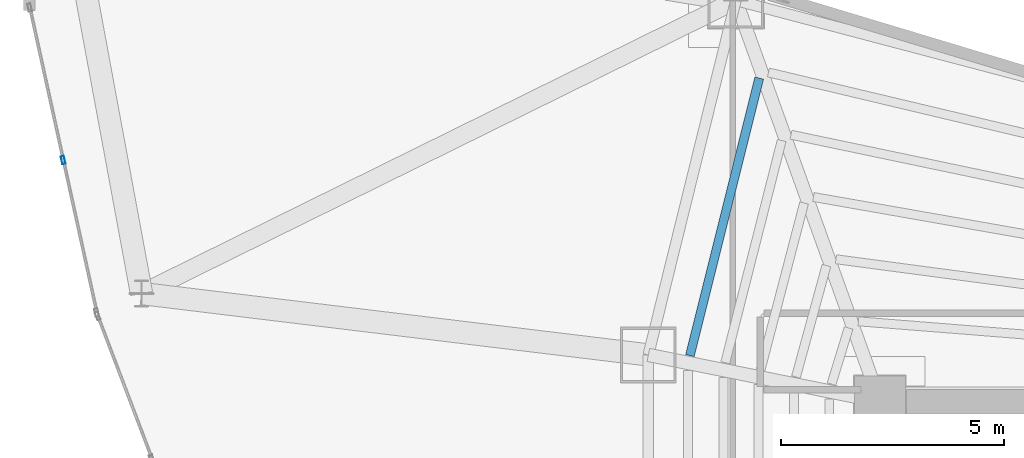
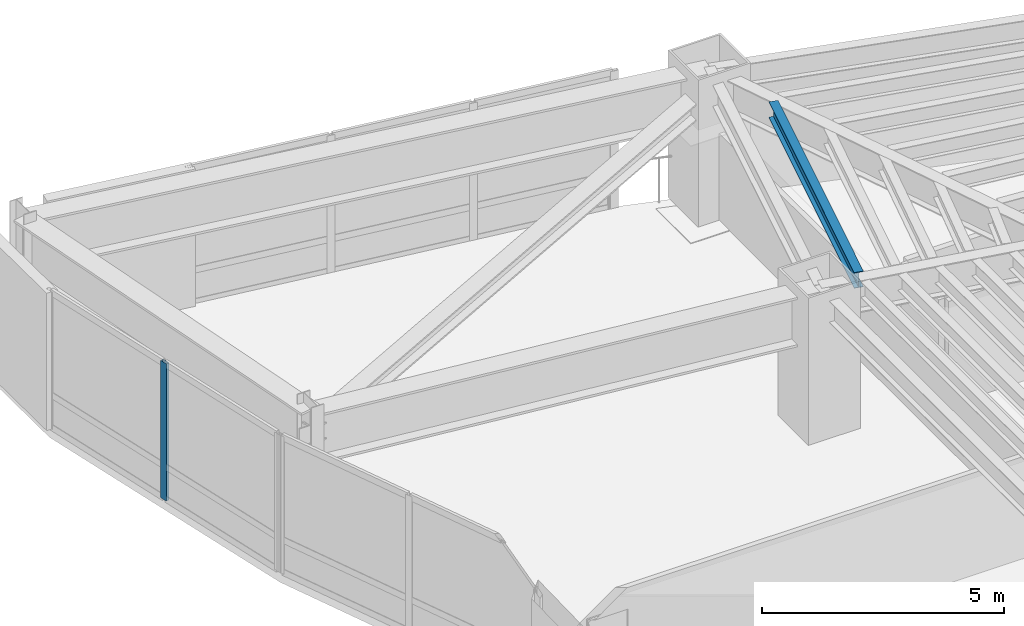
# One storey, part 9 of 23: 1 beam, 1 member, 1 element without a shape of its own.
"""IFC4 building model written with IfcOpenShell, lengths in metres."""

import ifcopenshell
import ifcopenshell.guid

model = None  # the IFC model being written
_history = None  # IfcOwnerHistory: only IFC2X3 demands one
_inside = {}  # id of a spatial element -> (the spatial element, [elements in it])
_under = {}  # id of a project, library or spatial element -> (it, [spatial elements below it])
_declared = {}  # id of a project -> (the project, [libraries it declares])
_typed = {}  # id of a type object -> (the type object, [elements of that type])
_made_of = {}  # id of a material, layer set ... -> (it, [elements and type objects made of it])


def new_model(schema):
    """Start an empty IFC model of exactly this schema.

    Asked for "IFC4X3", IfcOpenShell would pick the latest addendum, in which some entities
    have other attributes; the version numbers below select the first issue.
    IFC2X3 requires an IfcOwnerHistory on every rooted entity: one is made here for all.
    """
    global model, _history
    if schema == "IFC4X3":
        model = ifcopenshell.file(schema_version=(4, 3, 0, 0))
    else:
        model = ifcopenshell.file(schema=schema)
    _inside.clear()
    _under.clear()
    _declared.clear()
    _typed.clear()
    _made_of.clear()
    _history = None
    if model.schema == "IFC2X3":
        org = make("IfcOrganization", Name="unknown")
        user = make(
            "IfcPersonAndOrganization",
            ThePerson=make("IfcPerson", FamilyName="unknown"),
            TheOrganization=org,
        )
        app = make(
            "IfcApplication",
            ApplicationDeveloper=org,
            Version="unknown",
            ApplicationFullName="unknown",
            ApplicationIdentifier="unknown",
        )
        _history = make(
            "IfcOwnerHistory",
            OwningUser=user,
            OwningApplication=app,
            ChangeAction="ADDED",
            CreationDate=0,
        )
    return model


def make(cls, **values):
    """One entity of the class cls with the attributes given. An attribute that is None is left unset."""
    return model.create_entity(
        cls, **{name: value for name, value in values.items() if value is not None}
    )


def rooted(cls, **values):
    """An entity with a GlobalId (a new one), such as an element, a storey or a relation."""
    return make(cls, GlobalId=ifcopenshell.guid.new(), OwnerHistory=_history, **values)


def si_unit(unit_type, name, prefix=None):
    """IfcSIUnit, for example si_unit("LENGTHUNIT", "METRE", prefix="MILLI")."""
    return make("IfcSIUnit", UnitType=unit_type, Prefix=prefix, Name=name)


def assignment(units):
    """IfcUnitAssignment: the units of a project."""
    return None if units is None else make("IfcUnitAssignment", Units=units)


def point(xyz):
    """IfcCartesianPoint."""
    return None if xyz is None else make("IfcCartesianPoint", Coordinates=xyz)


def direction(xyz):
    """IfcDirection."""
    return None if xyz is None else make("IfcDirection", DirectionRatios=xyz)


def frame(location, z_axis=None, x_axis=None):
    """IfcAxis2Placement3D, a coordinate frame: its origin and axes. An axis left out is left unset."""
    return make(
        "IfcAxis2Placement3D",
        Location=point(location),
        Axis=direction(z_axis),
        RefDirection=direction(x_axis),
    )


def frame_2d(location, x_axis=None):
    """IfcAxis2Placement2D, a coordinate frame in the plane: its origin and x axis."""
    return make(
        "IfcAxis2Placement2D", Location=point(location), RefDirection=direction(x_axis)
    )


def origin():
    """The frame at (0, 0, 0) with its axes left unset."""
    return frame((0.0, 0.0, 0.0))


def origin_2d():
    """The frame at (0, 0) in the plane with its x axis left unset."""
    return frame_2d((0.0, 0.0))


def place(relative_to, where):
    """IfcLocalPlacement: puts the frame where relative to a parent placement (None: the world)."""
    return make(
        "IfcLocalPlacement", PlacementRelTo=relative_to, RelativePlacement=where
    )


def context(
    kind, dimensions, precision=None, world=None, true_north=None, identifier=None
):
    """IfcGeometricRepresentationContext, for example the 3D "Model" context."""
    return make(
        "IfcGeometricRepresentationContext",
        ContextIdentifier=identifier,
        ContextType=kind,
        CoordinateSpaceDimension=dimensions,
        Precision=precision,
        WorldCoordinateSystem=world,
        TrueNorth=true_north,
    )


def subcontext(parent, identifier, kind, view, scale=None):
    """IfcGeometricRepresentationSubContext, for example "Body" below "Model"."""
    return make(
        "IfcGeometricRepresentationSubContext",
        ContextIdentifier=identifier,
        ContextType=kind,
        ParentContext=parent,
        TargetScale=scale,
        TargetView=view,
    )


def project(units=None, contexts=None):
    """IfcProject with its units and contexts."""
    return rooted(
        "IfcProject",
        Name="project",
        RepresentationContexts=contexts,
        UnitsInContext=assignment(units),
    )


def spatial(cls, under=None, at=None, **own):
    """A site, building, storey or space (cls), placed at a placement, below another one or the project."""
    s = rooted(cls, ObjectPlacement=at, **own)
    if under is not None:
        _under.setdefault(under.id(), (under, []))[1].append(s)
    return s


def profile(cls, at=None, kind="AREA", **sizes):
    """A parametric profile (cls). Its sizes go by their IFC names, for example OverallWidth=200.0."""
    return make(cls, ProfileType=kind, Position=at, **sizes)


def hollow_rectangle(**sizes):
    """IfcRectangleHollowProfileDef."""
    return profile("IfcRectangleHollowProfileDef", **sizes)


def i_section(**sizes):
    """IfcIShapeProfileDef."""
    return profile("IfcIShapeProfileDef", **sizes)


def extrude(swept, where, along, depth):
    """IfcExtrudedAreaSolid: the profile swept, set in the frame where, extruded along a direction by depth."""
    return make(
        "IfcExtrudedAreaSolid",
        SweptArea=swept,
        Position=where,
        ExtrudedDirection=direction(along),
        Depth=depth,
    )


def shape(context_of_items, identifier, shape_type, items):
    """IfcShapeRepresentation: the items that make up one representation, for example the "Body"."""
    return make(
        "IfcShapeRepresentation",
        ContextOfItems=context_of_items,
        RepresentationIdentifier=identifier,
        RepresentationType=shape_type,
        Items=items,
    )


def material(Name=None, Category=None):
    """IfcMaterial."""
    return make("IfcMaterial", Name=Name, Category=Category)


def layer(
    of_material, thickness, ventilated=None, Name=None, Category=None, Priority=None
):
    """IfcMaterialLayer: one layer of a wall or slab, of a material (None: an air gap)."""
    return make(
        "IfcMaterialLayer",
        Material=of_material,
        LayerThickness=thickness,
        IsVentilated=ventilated,
        Name=Name,
        Category=Category,
        Priority=Priority,
    )


def layer_set(layers, Name=None):
    """IfcMaterialLayerSet."""
    return make("IfcMaterialLayerSet", MaterialLayers=layers, LayerSetName=Name)


def material_profile(
    of_material, cross_section, Name=None, Category=None, Priority=None
):
    """IfcMaterialProfile: a cross section and its material."""
    return make(
        "IfcMaterialProfile",
        Name=Name,
        Material=of_material,
        Profile=cross_section,
        Priority=Priority,
        Category=Category,
    )


def profile_set(profiles, Name=None, composite=None):
    """IfcMaterialProfileSet."""
    return make(
        "IfcMaterialProfileSet",
        Name=Name,
        MaterialProfiles=profiles,
        CompositeProfile=composite,
    )


def made_of(thing, what):
    """Note that an element or type object is made of a material, layer set ...; save() writes the relation."""
    if what is not None:
        _made_of.setdefault(what.id(), (what, []))[1].append(thing)
    return thing


def type_object(cls, material=None, **own):
    """A type object (cls), such as IfcWallType, which elements share."""
    return made_of(rooted(cls, **own), material)


def element(
    cls,
    number,
    at=None,
    inside=None,
    cuts=None,
    type_object=None,
    material=None,
    context=None,
    identifier="Body",
    shape_type=None,
    held_by="IfcProductDefinitionShape",
    body=None,
    shapes=None,
    **own,
):
    """One element of the class cls, such as IfcWall. Its Tag is "e" and its number.

    at: its placement. inside: the storey or other place that contains it. cuts: it is an
    opening in that element (IfcRelVoidsElement). A single representation is given by context,
    identifier, shape_type and body (its items); several are given by shapes. held_by: the class
    of the entity that holds the representations. save() writes the other relations.
    """
    e = rooted(cls, Tag="e%d" % number, ObjectPlacement=at, **own)
    if body is not None:
        shapes = [shape(context, identifier, shape_type, body)]
    if shapes is not None:
        e.Representation = make(held_by, Representations=shapes)
    if inside is not None:
        _inside.setdefault(inside.id(), (inside, []))[1].append(e)
    if cuts is not None:
        rooted(
            "IfcRelVoidsElement", RelatingBuildingElement=cuts, RelatedOpeningElement=e
        )
    if type_object is not None:
        _typed.setdefault(type_object.id(), (type_object, []))[1].append(e)
    return made_of(e, material)


def aggregate(whole, parts):
    """IfcRelAggregates: a whole, such as a stair, and the parts it consists of."""
    return rooted("IfcRelAggregates", RelatingObject=whole, RelatedObjects=parts)


def save(model, path):
    """Write the relations noted so far, then the file.

    IfcRelAggregates (storeys below a building ...), IfcRelContainedInSpatialStructure (elements
    in a storey), IfcRelDefinesByType, IfcRelAssociatesMaterial and IfcRelDeclares: one each for
    every whole, place, type object, material and project.
    """
    for whole, parts in _under.values():
        aggregate(whole, parts)
    for where, things in _inside.values():
        rooted(
            "IfcRelContainedInSpatialStructure",
            RelatedElements=things,
            RelatingStructure=where,
        )
    for kind, things in _typed.values():
        rooted("IfcRelDefinesByType", RelatedObjects=things, RelatingType=kind)
    for what, things in _made_of.values():
        rooted("IfcRelAssociatesMaterial", RelatedObjects=things, RelatingMaterial=what)
    for by, libraries in _declared.values():
        rooted("IfcRelDeclares", RelatingContext=by, RelatedDefinitions=libraries)
    model.write(path)


model = new_model("IFC4")

# Units and contexts
model_context = context("Model", 3, precision=1e-05, world=origin(), true_north=direction((0.0, 1.0)))
body_context = subcontext(model_context, "Body", "Model", "MODEL_VIEW")
ifc_project = project(units=[si_unit("LENGTHUNIT", "METRE"), si_unit("AREAUNIT", "SQUARE_METRE"), si_unit("VOLUMEUNIT", "CUBIC_METRE"), si_unit("PLANEANGLEUNIT", "RADIAN"), si_unit("MASSUNIT", "GRAM", prefix="KILO")], contexts=[model_context])

# Site, building, storey
site_placement = place(None, origin())
site = spatial("IfcSite", under=ifc_project, at=site_placement, CompositionType="ELEMENT")
building_placement = place(site_placement, origin())
building = spatial("IfcBuilding", under=site, at=building_placement, Name="Menara Vayukalpa", CompositionType="ELEMENT")
storey_placement = place(building_placement, frame((0.0, 0.0, 103.97998046875)))
storey = spatial("IfcBuildingStorey", under=building, at=storey_placement, Name="L25", CompositionType="ELEMENT", Elevation=103.97998046875)

# Beam
ifc_material_1 = material(Name="Steel S355", Category="steel")
ifc_material_profile_1 = material_profile(ifc_material_1, i_section(OverallWidth=0.199951171875, OverallDepth=0.39990234375, WebThickness=0.008056640625, FlangeThickness=0.012939453125, at=origin_2d()), Name="WF 400x200x8x13")
ifc_profile_set_1 = profile_set([ifc_material_profile_1], Name="Steel S355")
beam_type = type_object("IfcBeamType", Name="BM-SJ2", PredefinedType="JOIST", material=ifc_profile_set_1)
beam_placement = place(storey_placement, frame((15.09423828125, 34.055419921875, 3.27001953125), z_axis=(-0.242481900969, -0.970155929582, 0.0), x_axis=(0.970155929582, -0.242481900969, 0.0)))
element("IfcBeam", 1, at=beam_placement, inside=storey, type_object=beam_type, Name="L25 Secondary Floor Joist SJ04-5", PredefinedType="JOIST", context=body_context, shape_type="SweptSolid", body=[
    extrude(i_section(OverallWidth=0.199951171875, OverallDepth=0.39990234375, WebThickness=0.008056640625, FlangeThickness=0.012939453125, at=origin_2d()), origin(), (0.0, 0.0, 1.0), 6.41552734375),
])

# Curtain wall, member
ifc_material_2 = material(Name="Anodised Terracotta Aluminium Alloy 6063-T6", Category="masonry")
ifc_layer = layer(ifc_material_2, 0.179931640625)
ifc_layer_set = layer_set([ifc_layer], Name="Anodised Terracotta Aluminium Alloy 6063-T6")
curtain_wall_type = type_object("IfcCurtainWallType", Name="CW-CW4", PredefinedType="USERDEFINED", material=ifc_layer_set)
curtain_wall_placement = place(storey_placement, origin())
curtain_wall = element("IfcCurtainWall", 2, at=curtain_wall_placement, inside=storey, type_object=curtain_wall_type, Name="L25 Sky Bar Cantilever Glazed Curtain Wall CW4 10", ObjectType="UNITISED", PredefinedType="USERDEFINED")
ifc_material_3 = material(Name="Anodised Terracotta Aluminium Alloy 6063-T6", Category="masonry")
ifc_material_profile_2 = material_profile(ifc_material_3, hollow_rectangle(XDim=0.074951171875, YDim=0.179931640625, WallThickness=0.00390625, at=origin_2d()), Name="ALU 75x180x4")
ifc_profile_set_2 = profile_set([ifc_material_profile_2], Name="Anodised Terracotta Aluminium Alloy 6063-T6")
member_type = type_object("IfcMemberType", Name="CWM-CW4", PredefinedType="MULLION", material=ifc_profile_set_2)
member_placement = place(storey_placement, frame((-0.515869140625, 32.21484375, 0.0), z_axis=(0.0, 0.0, 1.0), x_axis=(0.976721757533, 0.214510159112, 0.0)))
member = element("IfcMember", 3, at=member_placement, type_object=member_type, Name="CW4 mullion 2", PredefinedType="MULLION", context=body_context, shape_type="SweptSolid", body=[
    extrude(hollow_rectangle(XDim=0.074951171875, YDim=0.179931640625, WallThickness=0.00390625, at=origin_2d()), origin(), (0.0, 0.0, 1.0), 3.469970703125),
])
aggregate(curtain_wall, [member])

save(model, "model.ifc")
